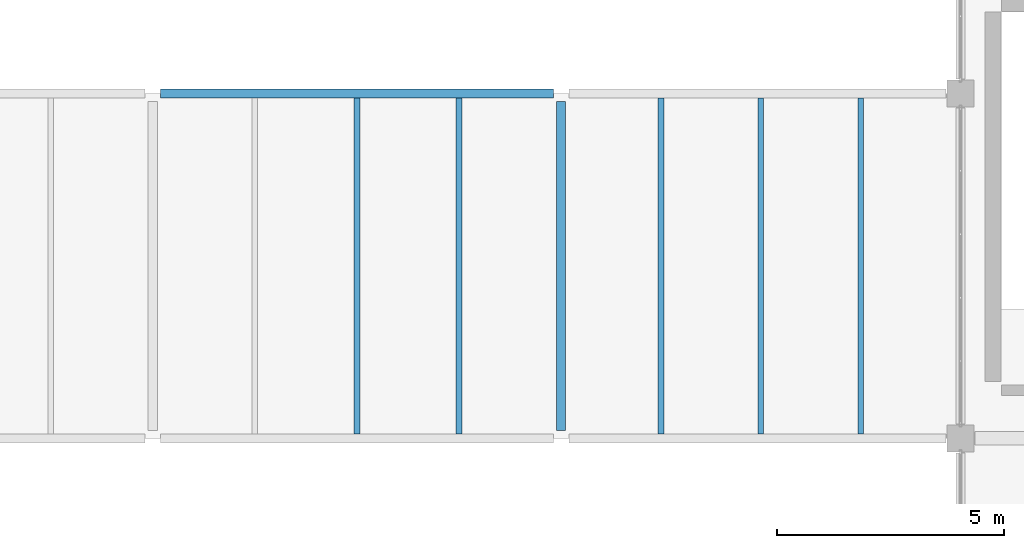
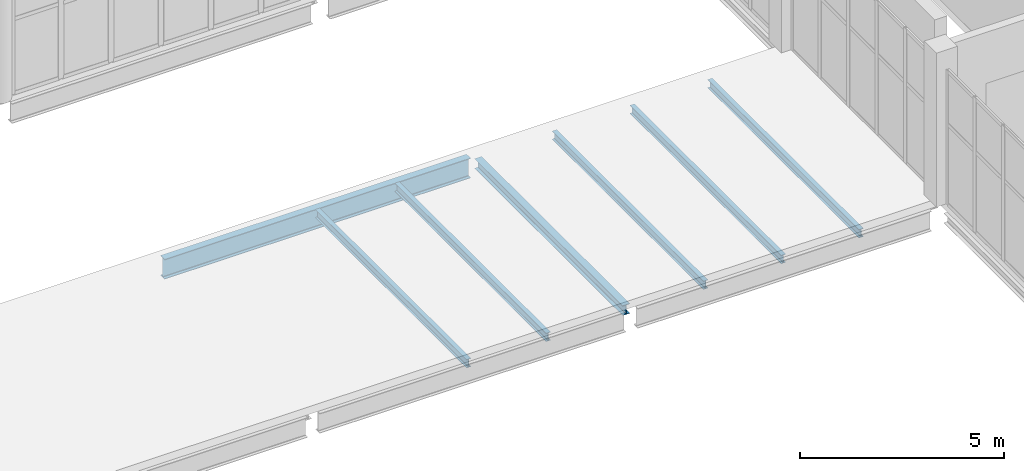
# One storey, part 77 of 136: 7 beams.
"""IFC4 building model written with IfcOpenShell, lengths in metres."""

from ifc_helpers import new_model, si_unit, direction, frame, origin, origin_2d, place, context, subcontext, project, spatial, i_section, extrude, material, material_profile, profile_set, type_object, element, save


model = new_model("IFC4")

# Units and contexts
model_context = context("Model", 3, precision=1e-05, world=origin(), true_north=direction((0.0, 1.0)))
body_context = subcontext(model_context, "Body", "Model", "MODEL_VIEW")
ifc_project = project(units=[si_unit("LENGTHUNIT", "METRE"), si_unit("AREAUNIT", "SQUARE_METRE"), si_unit("VOLUMEUNIT", "CUBIC_METRE"), si_unit("PLANEANGLEUNIT", "RADIAN"), si_unit("MASSUNIT", "GRAM", prefix="KILO")], contexts=[model_context])

# Site, building, storey
site_placement = place(None, origin())
site = spatial("IfcSite", under=ifc_project, at=site_placement, CompositionType="ELEMENT")
building_placement = place(site_placement, origin())
building = spatial("IfcBuilding", under=site, at=building_placement, Name="Shengluoqiao Park Theatre", CompositionType="ELEMENT")
storey_placement = place(building_placement, frame((0.0, 0.0, 10.0)))
storey = spatial("IfcBuildingStorey", under=building, at=storey_placement, Name="L02", CompositionType="ELEMENT", Elevation=10.0)

# Beams
ifc_material = material(Name="Steel Q355", Category="steel")
ifc_material_profile_1 = material_profile(ifc_material, i_section(OverallWidth=0.199951171875, OverallDepth=0.2939453125, WebThickness=0.008056640625, FlangeThickness=0.011962890625, FilletRadius=0.01611328125, at=origin_2d()), Name="HM 294x200x8x12")
ifc_profile_set_1 = profile_set([ifc_material_profile_1], Name="Steel Q355")
beam_type_1 = type_object("IfcBeamType", Name="STR-BM-G-HM294", PredefinedType="BEAM", material=ifc_profile_set_1)
beam_1_placement = place(storey_placement, frame((148.39990234375, 53.3720703125, -0.376953125), z_axis=(0.0, 1.0, 0.0), x_axis=(-1.0, 0.0, 0.0)))
element("IfcBeam", 1, at=beam_1_placement, inside=storey, type_object=beam_type_1, Name="L02 Transverse Girder 01938", PredefinedType="BEAM", context=body_context, shape_type="SweptSolid", body=[
    extrude(i_section(OverallWidth=0.199951171875, OverallDepth=0.2939453125, WebThickness=0.008056640625, FlangeThickness=0.011962890625, FilletRadius=0.01611328125, at=origin_2d()), origin(), (0.0, 0.0, 1.0), 7.255859375),
])
ifc_material_profile_2 = material_profile(ifc_material, i_section(OverallWidth=0.125, OverallDepth=0.25, WebThickness=0.006103515625, FlangeThickness=0.009033203125, FilletRadius=0.010009765625, at=origin_2d()), Name="HN 250x125x6x9")
ifc_profile_set_2 = profile_set([ifc_material_profile_2], Name="Steel Q355")
beam_type_2 = type_object("IfcBeamType", Name="STR-BM-J-HN250", PredefinedType="JOIST", material=ifc_profile_set_2)
for number, where, z_axis, x_axis, name in (
    (2, (143.89990234375, 53.29443359375, -0.35498046875), (0.0, 1.0, 0.0), (-1.0, 0.0, 0.0), "L02 Composite Joist 01971"),
    (3, (146.14990234375, 53.29443359375, -0.35498046875), (0.0, 1.0, 0.0), (-1.0, 0.0, 0.0), "L02 Composite Joist 01972"),
    (4, (150.60009765625, 53.29443359375, -0.35498046875), (0.0, 1.0, 0.0), (-1.0, 0.0, 0.0), "L02 Composite Joist 01973"),
    (5, (152.800048828125, 53.29443359375, -0.35498046875), (0.0, 1.0, 0.0), (-1.0, 0.0, 0.0), "L02 Composite Joist 01974"),
    (6, (155.0, 53.29443359375, -0.35498046875), (0.0, 1.0, 0.0), (-1.0, 0.0, 0.0), "L02 Composite Joist 01975"),
):
    element("IfcBeam", number, at=place(storey_placement, frame(where, z_axis=z_axis, x_axis=x_axis)), inside=storey, type_object=beam_type_2, Name=name, PredefinedType="JOIST", context=body_context, shape_type="SweptSolid", body=[
        extrude(i_section(OverallWidth=0.125, OverallDepth=0.25, WebThickness=0.006103515625, FlangeThickness=0.009033203125, FilletRadius=0.010009765625, at=origin_2d()), origin(), (0.0, 0.0, 1.0), 7.4111328125),
    ])
ifc_material_profile_3 = material_profile(ifc_material, i_section(OverallWidth=0.198974609375, OverallDepth=0.595947265625, WebThickness=0.010009765625, FlangeThickness=0.014892578125, FilletRadius=0.02001953125, at=origin_2d()), Name="HN 596x199x10x15")
ifc_profile_set_3 = profile_set([ifc_material_profile_3], Name="Steel Q355")
beam_type_3 = type_object("IfcBeamType", Name="STR-BM-SP-HN596", PredefinedType="SPANDREL", material=ifc_profile_set_3)
beam_2_placement = place(storey_placement, frame((139.572021484375, 60.800048828125, -0.528076171875), z_axis=(1.0, 0.0, 0.0), x_axis=(0.0, 1.0, 0.0)))
element("IfcBeam", 7, at=beam_2_placement, inside=storey, type_object=beam_type_3, Name="L02 Primary Girder 01925", PredefinedType="SPANDREL", context=body_context, shape_type="SweptSolid", body=[
    extrude(i_section(OverallWidth=0.198974609375, OverallDepth=0.595947265625, WebThickness=0.010009765625, FlangeThickness=0.014892578125, FilletRadius=0.02001953125, at=origin_2d()), origin(), (0.0, 0.0, 1.0), 8.656005859375),
])

save(model, "model.ifc")
